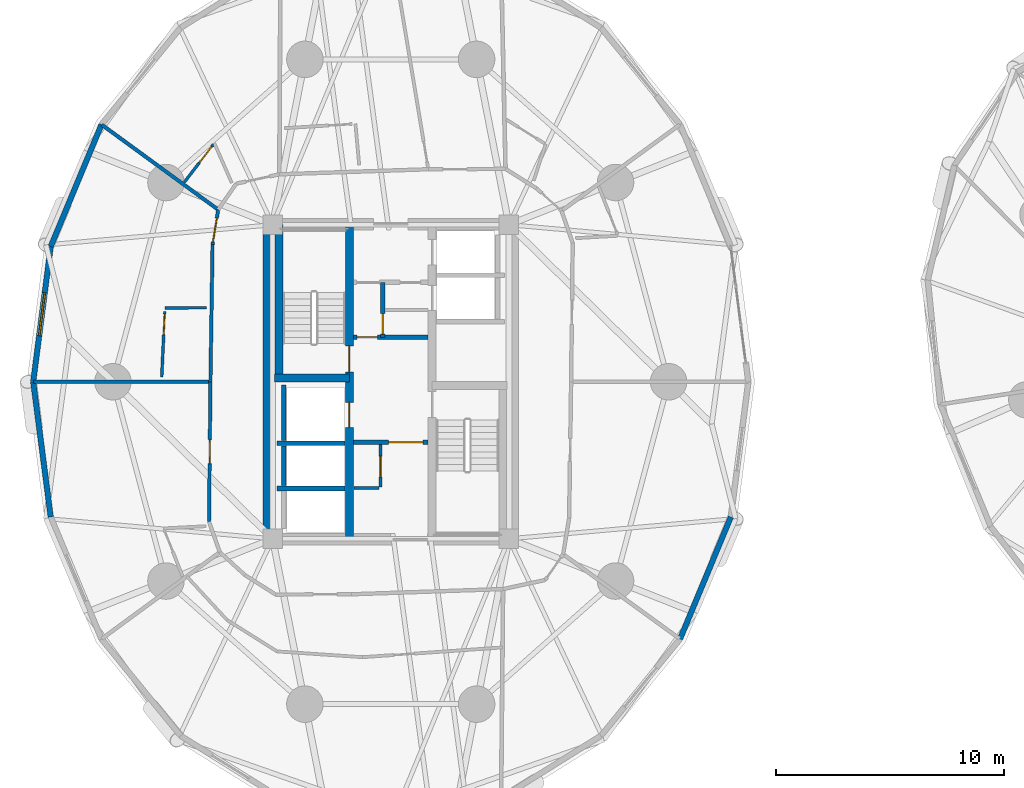
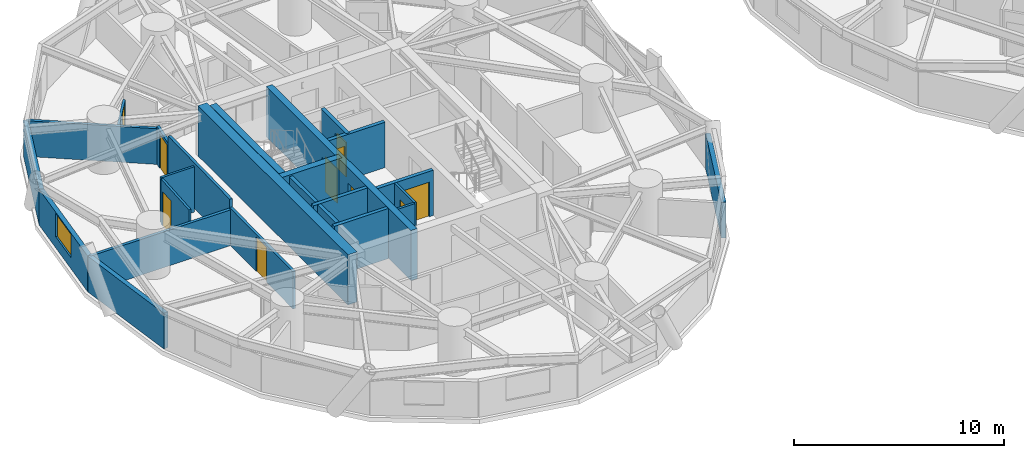
# One storey, part 10 of 18: 25 walls, 10 doors, 1 window, 11 openings.
"""IFC4 building model written with IfcOpenShell, lengths in metres."""

from ifc_helpers import new_model, si_unit, direction, frame, frame_2d, origin, place, context, subcontext, project, spatial, rectangle, extrude, source, transform, mapped, material, layer, layer_set, type_object, element, fill, save


model = new_model("IFC4")

# Units and contexts
model_context = context("Model", 3, precision=1e-05, world=origin(), true_north=direction((0.0, 1.0)))
body_context = subcontext(model_context, "Body", "Model", "MODEL_VIEW")
ifc_project = project(units=[si_unit("LENGTHUNIT", "METRE"), si_unit("AREAUNIT", "SQUARE_METRE"), si_unit("VOLUMEUNIT", "CUBIC_METRE"), si_unit("PLANEANGLEUNIT", "RADIAN"), si_unit("MASSUNIT", "GRAM", prefix="KILO")], contexts=[model_context])

# Site, building, storey
site_placement = place(None, origin())
site = spatial("IfcSite", under=ifc_project, at=site_placement, CompositionType="ELEMENT")
building_placement = place(site_placement, origin())
building = spatial("IfcBuilding", under=site, at=building_placement, Name="Cununo Teusaquillo Station Towers", CompositionType="ELEMENT")
storey_placement = place(building_placement, frame((0.0, 0.0, 54.010009765625)))
storey = spatial("IfcBuildingStorey", under=building, at=storey_placement, Name="L16", CompositionType="ELEMENT", Elevation=54.010009765625)

# Walls
ifc_material_1 = material(Name="Concrete C50/60", Category="concrete")
ifc_layer_1 = layer(ifc_material_1, 0.199951171875)
ifc_layer_set_1 = layer_set([ifc_layer_1], Name="Concrete C50/60")
wall_type_1 = type_object("IfcWallType", Name="WL-CORE-200", PredefinedType="SHEAR", material=ifc_layer_set_1)
wall_1_placement = place(storey_placement, frame((11.52001953125, 21.800048828125, 0.0), z_axis=(0.0, 0.0, 1.0), x_axis=(1.0, 0.0, 0.0)))
element("IfcWall", 1, at=wall_1_placement, inside=storey, type_object=wall_type_1, Name="L16 Tower A Firefighting Lift Shaft South Shear Wall", PredefinedType="SHEAR", context=body_context, shape_type="SweptSolid", body=[
    extrude(rectangle(XDim=2.969970703125, YDim=0.199951171875, at=frame_2d((1.48486328125, 0.0))), origin(), (0.0, 0.0, 1.0), 2.909912109375),
])
wall_2_placement = place(storey_placement, frame((11.820068359375, 21.919921875, 0.0), z_axis=(0.0, 0.0, 1.0), x_axis=(0.0, 1.0, 0.0)))
element("IfcWall", 2, at=wall_2_placement, inside=storey, type_object=wall_type_1, Name="L16 Tower A Firefighting Lift Shaft Rear Shear Wall", PredefinedType="SHEAR", context=body_context, shape_type="SweptSolid", body=[
    extrude(rectangle(XDim=2.440185546875, YDim=0.199951171875, at=frame_2d((1.22021484375, 0.0))), origin(), (0.0, 0.0, 1.0), 2.909912109375),
])
wall_3_placement = place(storey_placement, frame((11.52001953125, 19.824951171875, 0.0), z_axis=(0.0, 0.0, 1.0), x_axis=(1.0, 0.0, 0.0)))
element("IfcWall", 3, at=wall_3_placement, inside=storey, type_object=wall_type_1, Name="L16 Tower A High-Rise Lift Hoistway Divider Shear Wall", PredefinedType="SHEAR", context=body_context, shape_type="SweptSolid", body=[
    extrude(rectangle(XDim=2.969970703125, YDim=0.199951171875, at=frame_2d((1.48486328125, 0.0))), origin(), (0.0, 0.0, 1.0), 2.909912109375),
])
wall_4_placement = place(storey_placement, frame((11.820068359375, 19.945068359375, 0.0), z_axis=(0.0, 0.0, 1.0), x_axis=(0.0, 1.0, 0.0)))
element("IfcWall", 4, at=wall_4_placement, inside=storey, type_object=wall_type_1, Name="L16 Tower A High-Rise Lift 2 Shaft Rear Shear Wall", PredefinedType="SHEAR", context=body_context, shape_type="SweptSolid", body=[
    extrude(rectangle(XDim=1.73486328125, YDim=0.199951171875, at=frame_2d((0.867431640625, 0.0))), origin(), (0.0, 0.0, 1.0), 2.909912109375),
])

# Wall, openings, doors
ifc_material_2 = material(Name="Concrete C50/60", Category="concrete")
ifc_layer_2 = layer(ifc_material_2, 0.35009765625)
ifc_layer_set_2 = layer_set([ifc_layer_2], Name="Concrete C50/60")
wall_type_2 = type_object("IfcWallType", Name="WL-CORE-350", PredefinedType="SHEAR", material=ifc_layer_set_2)
wall_5_placement = place(storey_placement, frame((14.68505859375, 17.60009765625, 0.0), z_axis=(0.0, 0.0, 1.0), x_axis=(0.0, 1.0, 0.0)))
wall_5 = element("IfcWall", 5, at=wall_5_placement, inside=storey, type_object=wall_type_2, Name="L16 Tower A Core Shear Wall IW", PredefinedType="SHEAR", context=body_context, shape_type="SweptSolid", body=[
    extrude(rectangle(XDim=13.7998046875, YDim=0.35009765625, at=frame_2d((6.89990234375, 0.0))), origin(), (0.0, 0.0, 1.0), 2.909912109375),
])
shared_shape_1 = source(origin(), body_context, "Body", "SweptSolid", [
    extrude(rectangle(XDim=1.10009765625, YDim=2.014892578125, at=frame_2d((0.550048828125, 1.00732421875))), frame((0.0, 0.18505859375, 0.0), z_axis=(0.0, -1.0, 0.0), x_axis=(1.0, 0.0, 0.0)), (0.0, 0.0, 1.0), 0.3701171875),
])
opening_1_placement = place(wall_5_placement, frame((4.89990234375, 0.0, 0.0)))
opening_1 = element("IfcOpeningElement", 6, at=opening_1_placement, cuts=wall_5, Name="Opening LD-01", PredefinedType="OPENING", context=body_context, shape_type="MappedRepresentation", body=[
    mapped(shared_shape_1, transform((0.0, 0.0, 0.0), x_axis=(1.0, 0.0, 0.0), y_axis=(0.0, 1.0, 0.0), z_axis=(0.0, 0.0, 1.0), scale=1.0)),
])
shared_shape_2 = source(origin(), body_context, "Body", "SweptSolid", [
    extrude(rectangle(XDim=1.14990234375, YDim=2.02001953125, at=frame_2d((0.574951171875, 1.010009765625))), frame((0.0, 0.18505859375, 0.0), z_axis=(0.0, -1.0, 0.0), x_axis=(1.0, 0.0, 0.0)), (0.0, 0.0, 1.0), 0.3701171875),
])
opening_2_placement = place(wall_5_placement, frame((7.320068359375, 0.0, 0.0)))
opening_2 = element("IfcOpeningElement", 7, at=opening_2_placement, cuts=wall_5, Name="Opening D-ST1", PredefinedType="OPENING", context=body_context, shape_type="MappedRepresentation", body=[
    mapped(shared_shape_2, transform((0.0, 0.0, 0.0), x_axis=(1.0, 0.0, 0.0), y_axis=(0.0, 1.0, 0.0), z_axis=(0.0, 0.0, 1.0), scale=1.0)),
])
ifc_material_3 = material(Name="Galvanised fire-rated hollow steel door assembly", Category="steel")
door_type_1 = type_object("IfcDoorType", Name="DR-LIFT-1100", OperationType="SLIDING_TO_LEFT", PredefinedType="DOOR", material=ifc_material_3)
shared_shape_3 = source(origin(), body_context, "Body", "SweptSolid", [
    extrude(rectangle(XDim=1.10009765625, YDim=2.014892578125, at=frame_2d((0.550048828125, 1.00732421875))), frame((0.0, 0.02490234375, 0.0), z_axis=(0.0, -1.0, 0.0), x_axis=(1.0, 0.0, 0.0)), (0.0, 0.0, 1.0), 0.050048828125),
])
door_1_placement = place(opening_1_placement, origin())
door_1 = element("IfcDoor", 8, at=door_1_placement, inside=storey, type_object=door_type_1, Name="L16 Lift FL-T1 Sliding Landing Door", OperationType="SLIDING_TO_LEFT", OverallHeight=2.014892578125, OverallWidth=1.10009765625, PredefinedType="DOOR", context=body_context, shape_type="MappedRepresentation", body=[
    mapped(shared_shape_3, transform((0.0, 0.0, 0.0), x_axis=(1.0, 0.0, 0.0), y_axis=(0.0, 1.0, 0.0), z_axis=(0.0, 0.0, 1.0), scale=1.0)),
])
fill(opening_1, door_1)
ifc_material_4 = material(Name="Galvanised fire-rated hollow steel door assembly", Category="steel")
door_type_2 = type_object("IfcDoorType", Name="DR-STAIR-1150", OperationType="NOTDEFINED", PredefinedType="DOOR", material=ifc_material_4)
shared_shape_4 = source(origin(), body_context, "Body", "SweptSolid", [
    extrude(rectangle(XDim=1.14990234375, YDim=2.02001953125, at=frame_2d((0.574951171875, 1.010009765625))), frame((0.0, 0.02490234375, 0.0), z_axis=(0.0, -1.0, 0.0), x_axis=(1.0, 0.0, 0.0)), (0.0, 0.0, 1.0), 0.050048828125),
])
door_2_placement = place(opening_2_placement, origin())
door_2 = element("IfcDoor", 9, at=door_2_placement, inside=storey, type_object=door_type_2, Name="L16 Tower A Exit Stair 1 Fire Door", OperationType="SINGLE_SWING_LEFT", OverallHeight=2.02001953125, OverallWidth=1.14990234375, PredefinedType="DOOR", context=body_context, shape_type="MappedRepresentation", body=[
    mapped(shared_shape_4, transform((0.0, 0.0, 0.0), x_axis=(1.0, 0.0, 0.0), y_axis=(0.0, 1.0, 0.0), z_axis=(0.0, 0.0, 1.0), scale=1.0)),
])
fill(opening_2, door_2)

# Walls
wall_6_placement = place(storey_placement, frame((11.594970703125, 24.655029296875, 0.0), z_axis=(0.0, 0.0, 1.0), x_axis=(0.0, 1.0, 0.0)))
element("IfcWall", 10, at=wall_6_placement, inside=storey, type_object=wall_type_2, Name="L16 Tower A Core Shear Wall ST1W", PredefinedType="SHEAR", context=body_context, shape_type="SweptSolid", body=[
    extrude(rectangle(XDim=6.744873046875, YDim=0.35009765625, at=frame_2d((3.37255859375, 0.0))), origin(), (0.0, 0.0, 1.0), 2.909912109375),
])
wall_7_placement = place(storey_placement, frame((11.39990234375, 24.655029296875, 0.0), z_axis=(0.0, 0.0, 1.0), x_axis=(1.0, 0.0, 0.0)))
element("IfcWall", 11, at=wall_7_placement, inside=storey, type_object=wall_type_2, Name="L16 Tower A Core Shear Wall ST1S", PredefinedType="SHEAR", context=body_context, shape_type="SweptSolid", body=[
    extrude(rectangle(XDim=3.28515625, YDim=0.35009765625, at=frame_2d((1.642578125, 0.0))), origin(), (0.0, 0.0, 1.0), 2.909912109375),
])
ifc_material_5 = material(Name="Concrete C60/75", Category="concrete")
ifc_layer_3 = layer(ifc_material_5, 0.5)
ifc_layer_set_3 = layer_set([ifc_layer_3], Name="Concrete C60/75")
wall_type_3 = type_object("IfcWallType", Name="WL-CORE-500", PredefinedType="SHEAR", material=ifc_layer_set_3)
wall_8_placement = place(storey_placement, frame((11.14990234375, 17.35009765625, 0.0), z_axis=(0.0, 0.0, 1.0), x_axis=(0.0, 1.0, 0.0)))
element("IfcWall", 12, at=wall_8_placement, inside=storey, type_object=wall_type_3, Name="L16 Tower A Core Shear Wall W", PredefinedType="SHEAR", context=body_context, shape_type="SweptSolid", body=[
    extrude(rectangle(XDim=14.2998046875, YDim=0.5, at=frame_2d((7.14990234375, 0.0))), origin(), (0.0, 0.0, 1.0), 2.909912109375),
])
ifc_material_6 = material(Name="Precast concrete C40/50", Category="concrete")
ifc_layer_4 = layer(ifc_material_6, 0.239990234375)
ifc_layer_set_4 = layer_set([ifc_layer_4], Name="Precast concrete C40/50")
wall_type_4 = type_object("IfcWallType", Name="WL-EXT-240", PredefinedType="SOLIDWALL", material=ifc_layer_set_4)
wall_9_placement = place(storey_placement, frame((1.603515625, 30.423828125, 0.0), z_axis=(0.0, 0.0, 1.0), x_axis=(0.384348836956, 0.923187939442, 0.0)))
element("IfcWall", 13, at=wall_9_placement, inside=storey, type_object=wall_type_4, Name="L16 Tower A Exterior Facade Wall C08", PredefinedType="SOLIDWALL", context=body_context, shape_type="SweptSolid", body=[
    extrude(rectangle(XDim=5.78857421875, YDim=0.239990234375, at=frame_2d((2.894287109375, 0.0))), origin(), (0.0, 0.0, 1.0), 2.072998046875),
])

# Wall, opening, window
wall_10_placement = place(storey_placement, frame((0.8369140625, 24.5, 0.0), z_axis=(0.0, 0.0, 1.0), x_axis=(0.128339641463, 0.991730274031, 0.0)))
wall_10 = element("IfcWall", 14, at=wall_10_placement, inside=storey, type_object=wall_type_4, Name="L16 Tower A Exterior Facade Wall C09", PredefinedType="SOLIDWALL", context=body_context, shape_type="SweptSolid", body=[
    extrude(rectangle(XDim=5.97314453125, YDim=0.239990234375, at=frame_2d((2.986572265625, 0.0))), origin(), (0.0, 0.0, 1.0), 2.072998046875),
])
shared_shape_5 = source(origin(), body_context, "Body", "SweptSolid", [
    extrude(rectangle(XDim=1.89990234375, YDim=1.35009765625, at=frame_2d((0.949951171875, 0.675048828125))), frame((0.0, 0.1298828125, 0.0), z_axis=(0.0, -1.0, 0.0), x_axis=(1.0, 0.0, 0.0)), (0.0, 0.0, 1.0), 0.260009765625),
])
opening_3_placement = place(wall_10_placement, frame((2.037109375, 0.0, 0.64990234375)))
opening_3 = element("IfcOpeningElement", 15, at=opening_3_placement, cuts=wall_10, Name="Opening WN-02", PredefinedType="OPENING", context=body_context, shape_type="MappedRepresentation", body=[
    mapped(shared_shape_5, transform((0.0, 0.0, 0.0), x_axis=(1.0, 0.0, 0.0), y_axis=(0.0, 1.0, 0.0), z_axis=(0.0, 0.0, 1.0), scale=1.0)),
])
ifc_material_7 = material(Name="Operable acoustic tinted low-E double glazing", Category="glass")
window_type = type_object("IfcWindowType", Name="WIN-OPER-1900", PartitioningType="DOUBLE_PANEL_VERTICAL", PredefinedType="WINDOW", material=ifc_material_7)
shared_shape_6 = source(origin(), body_context, "Body", "SweptSolid", [
    extrude(rectangle(XDim=1.89990234375, YDim=1.35009765625, at=frame_2d((0.949951171875, 0.675048828125))), frame((0.0, 0.030029296875, 0.0), z_axis=(0.0, -1.0, 0.0), x_axis=(1.0, 0.0, 0.0)), (0.0, 0.0, 1.0), 0.06005859375),
])
window_placement = place(opening_3_placement, origin())
window = element("IfcWindow", 16, at=window_placement, inside=storey, type_object=window_type, Name="L16 Tower A Facade Window C09", OverallHeight=1.35009765625, OverallWidth=1.89990234375, PartitioningType="DOUBLE_PANEL_VERTICAL", PredefinedType="WINDOW", context=body_context, shape_type="MappedRepresentation", body=[
    mapped(shared_shape_6, transform((0.0, 0.0, 0.0), x_axis=(1.0, 0.0, 0.0), y_axis=(0.0, 1.0, 0.0), z_axis=(0.0, 0.0, 1.0), scale=1.0)),
])
fill(opening_3, window)

# Walls
wall_11_placement = place(storey_placement, frame((1.603515625, 18.576171875, 0.0), z_axis=(0.0, 0.0, 1.0), x_axis=(-0.128339641463, 0.991730274031, 0.0)))
element("IfcWall", 17, at=wall_11_placement, inside=storey, type_object=wall_type_4, Name="L16 Tower A Exterior Facade Wall C10", PredefinedType="SOLIDWALL", context=body_context, shape_type="SweptSolid", body=[
    extrude(rectangle(XDim=5.97314453125, YDim=0.239990234375, at=frame_2d((2.986572265625, 0.0))), origin(), (0.0, 0.0, 1.0), 2.072998046875),
])
wall_12_placement = place(storey_placement, frame((31.396484375, 18.576171875, 0.0), z_axis=(0.0, 0.0, 1.0), x_axis=(-0.384348836956, -0.923187939442, 0.0)))
element("IfcWall", 18, at=wall_12_placement, inside=storey, type_object=wall_type_4, Name="L16 Tower A Exterior Facade Wall C18", PredefinedType="SOLIDWALL", context=body_context, shape_type="SweptSolid", body=[
    extrude(rectangle(XDim=5.78857421875, YDim=0.239990234375, at=frame_2d((2.894287109375, 0.0))), origin(), (0.0, 0.0, 1.0), 2.072998046875),
])

# Wall, opening, door
ifc_material_8 = material(Name="Fire-rated gypsum plasterboard partition assembly", Category="gypsum")
ifc_layer_5 = layer(ifc_material_8, 0.125)
ifc_layer_set_5 = layer_set([ifc_layer_5], Name="Fire-rated gypsum plasterboard partition assembly")
wall_type_5 = type_object("IfcWallType", Name="WL-PART-125", PredefinedType="PARTITIONING", material=ifc_layer_set_5)
wall_13_placement = place(storey_placement, frame((16.050048828125, 19.8798828125, 0.0), z_axis=(0.0, 0.0, 1.0), x_axis=(0.0, 1.0, 0.0)))
wall_13 = element("IfcWall", 19, at=wall_13_placement, inside=storey, type_object=wall_type_5, Name="L16 Tower A North-West Lobby Store East Wall", PredefinedType="PARTITIONING", context=body_context, shape_type="SweptSolid", body=[
    extrude(rectangle(XDim=1.8701171875, YDim=0.125, at=frame_2d((0.93505859375, 0.0))), origin(), (0.0, 0.0, 1.0), 2.635009765625),
])
shared_shape_7 = source(origin(), body_context, "Body", "SweptSolid", [
    extrude(rectangle(XDim=0.89990234375, YDim=2.0048828125, at=frame_2d((0.449951171875, 1.00244140625))), frame((0.0, 0.072509765625, 0.0), z_axis=(0.0, -1.0, 0.0), x_axis=(1.0, 0.0, 0.0)), (0.0, 0.0, 1.0), 0.14501953125),
])
opening_4_placement = place(wall_13_placement, frame((0.449951171875, 0.0, 0.0)))
opening_4 = element("IfcOpeningElement", 20, at=opening_4_placement, cuts=wall_13, Name="Opening D-SR1", PredefinedType="OPENING", context=body_context, shape_type="MappedRepresentation", body=[
    mapped(shared_shape_7, transform((0.0, 0.0, 0.0), x_axis=(1.0, 0.0, 0.0), y_axis=(0.0, 1.0, 0.0), z_axis=(0.0, 0.0, 1.0), scale=1.0)),
])
ifc_material_9 = material(Name="Galvanised fire-rated hollow steel door assembly", Category="steel")
door_type_3 = type_object("IfcDoorType", Name="DR-STORE-900", OperationType="NOTDEFINED", PredefinedType="DOOR", material=ifc_material_9)
shared_shape_8 = source(origin(), body_context, "Body", "SweptSolid", [
    extrude(rectangle(XDim=0.89990234375, YDim=2.0048828125, at=frame_2d((0.449951171875, 1.00244140625))), frame((0.0, 0.02490234375, 0.0), z_axis=(0.0, -1.0, 0.0), x_axis=(1.0, 0.0, 0.0)), (0.0, 0.0, 1.0), 0.050048828125),
])
door_3_placement = place(opening_4_placement, origin())
door_3 = element("IfcDoor", 21, at=door_3_placement, inside=storey, type_object=door_type_3, Name="L16 Tower A South Lobby Data Store Door", OperationType="SINGLE_SWING_LEFT", OverallHeight=2.0048828125, OverallWidth=0.89990234375, PredefinedType="DOOR", context=body_context, shape_type="MappedRepresentation", body=[
    mapped(shared_shape_8, transform((0.0, 0.0, 0.0), x_axis=(1.0, 0.0, 0.0), y_axis=(0.0, 1.0, 0.0), z_axis=(0.0, 0.0, 1.0), scale=1.0)),
])
fill(opening_4, door_3)

# Wall
wall_14_placement = place(storey_placement, frame((14.8798828125, 19.85009765625, 0.0), z_axis=(0.0, 0.0, 1.0), x_axis=(1.0, 0.0, 0.0)))
element("IfcWall", 22, at=wall_14_placement, inside=storey, type_object=wall_type_5, Name="L16 Tower A North-West Lobby Store South Wall", PredefinedType="PARTITIONING", context=body_context, shape_type="SweptSolid", body=[
    extrude(rectangle(XDim=1.10009765625, YDim=0.125, at=frame_2d((0.550048828125, 0.0))), origin(), (0.0, 0.0, 1.0), 2.635009765625),
])

# Wall, opening, door
wall_15_placement = place(storey_placement, frame((8.731689453125, 34.8994140625, 0.0), z_axis=(0.0, 0.0, 1.0), x_axis=(-0.609677010074, -0.792649950096, 0.0)))
wall_15 = element("IfcWall", 23, at=wall_15_placement, inside=storey, type_object=wall_type_5, Name="L16 Tower A S04 En-suite Back Wall", PredefinedType="PARTITIONING", context=body_context, shape_type="SweptSolid", body=[
    extrude(rectangle(XDim=2.097412109375, YDim=0.125, at=frame_2d((1.048828125, 0.0))), origin(), (0.0, 0.0, 1.0), 2.072998046875),
])
opening_5_placement = place(wall_15_placement, frame((0.1201171875, 0.0, 0.0)))
opening_5 = element("IfcOpeningElement", 24, at=opening_5_placement, cuts=wall_15, Name="Opening D-IN1", PredefinedType="OPENING", context=body_context, shape_type="MappedRepresentation", body=[
    mapped(shared_shape_7, transform((0.0, 0.0, 0.0), x_axis=(1.0, 0.0, 0.0), y_axis=(0.0, 1.0, 0.0), z_axis=(0.0, 0.0, 1.0), scale=1.0)),
])
ifc_material_10 = material(Name="Acoustic solid-core hardwood leaf assembly", Category="wood")
door_type_4 = type_object("IfcDoorType", Name="DR-INT-900", OperationType="NOTDEFINED", PredefinedType="DOOR", material=ifc_material_10)
door_4_placement = place(opening_5_placement, origin())
door_4 = element("IfcDoor", 25, at=door_4_placement, inside=storey, type_object=door_type_4, Name="L16 Tower A S04 En-suite Bathroom Door", OperationType="SINGLE_SWING_RIGHT", OverallHeight=2.0048828125, OverallWidth=0.89990234375, PredefinedType="DOOR", context=body_context, shape_type="MappedRepresentation", body=[
    mapped(shared_shape_8, transform((0.0, 0.0, 0.0), x_axis=(1.0, 0.0, 0.0), y_axis=(0.0, 1.0, 0.0), z_axis=(0.0, 0.0, 1.0), scale=1.0)),
])
fill(opening_5, door_4)

# Wall
wall_16_placement = place(storey_placement, frame((8.4287109375, 27.74462890625, 0.0), z_axis=(0.0, 0.0, 1.0), x_axis=(-0.999976632219, -0.006836301373, 0.0)))
element("IfcWall", 26, at=wall_16_placement, inside=storey, type_object=wall_type_5, Name="L16 Tower A S05 En-suite Side Wall", PredefinedType="PARTITIONING", context=body_context, shape_type="SweptSolid", body=[
    extrude(rectangle(XDim=1.8212890625, YDim=0.125, at=frame_2d((0.91064453125, 0.0))), origin(), (0.0, 0.0, 1.0), 2.635009765625),
])

# Wall, opening, door
wall_17_placement = place(storey_placement, frame((6.600341796875, 27.58251953125, 0.0), z_axis=(0.0, 0.0, 1.0), x_axis=(-0.046516553412, -0.998917519247, 0.0)))
wall_17 = element("IfcWall", 27, at=wall_17_placement, inside=storey, type_object=wall_type_5, Name="L16 Tower A S05 En-suite Back Wall", PredefinedType="PARTITIONING", context=body_context, shape_type="SweptSolid", body=[
    extrude(rectangle(XDim=2.876220703125, YDim=0.125, at=frame_2d((1.43798828125, 0.0))), origin(), (0.0, 0.0, 1.0), 2.635009765625),
])
opening_6_placement = place(wall_17_placement, frame((0.1201171875, 0.0, 0.0)))
opening_6 = element("IfcOpeningElement", 28, at=opening_6_placement, cuts=wall_17, Name="Opening D-IN1", PredefinedType="OPENING", context=body_context, shape_type="MappedRepresentation", body=[
    mapped(shared_shape_7, transform((0.0, 0.0, 0.0), x_axis=(1.0, 0.0, 0.0), y_axis=(0.0, 1.0, 0.0), z_axis=(0.0, 0.0, 1.0), scale=1.0)),
])
door_5_placement = place(opening_6_placement, origin())
door_5 = element("IfcDoor", 29, at=door_5_placement, inside=storey, type_object=door_type_4, Name="L16 Tower A S05 En-suite Bathroom Door", OperationType="SINGLE_SWING_RIGHT", OverallHeight=2.0048828125, OverallWidth=0.89990234375, PredefinedType="DOOR", context=body_context, shape_type="MappedRepresentation", body=[
    mapped(shared_shape_8, transform((0.0, 0.0, 0.0), x_axis=(1.0, 0.0, 0.0), y_axis=(0.0, 1.0, 0.0), z_axis=(0.0, 0.0, 1.0), scale=1.0)),
])
fill(opening_6, door_5)

ifc_material_11 = material(Name="Fire-rated gypsum plasterboard partition assembly", Category="gypsum")
ifc_layer_6 = layer(ifc_material_11, 0.14990234375)
ifc_layer_set_6 = layer_set([ifc_layer_6], Name="Fire-rated gypsum plasterboard partition assembly")
wall_type_6 = type_object("IfcWallType", Name="WL-PART-150", PredefinedType="PARTITIONING", material=ifc_layer_set_6)
wall_18_placement = place(storey_placement, frame((8.93994140625, 32.038330078125, 0.0), z_axis=(0.0, 0.0, 1.0), x_axis=(-0.159917336462, -0.987130409571, 0.0)))
wall_18 = element("IfcWall", 30, at=wall_18_placement, inside=storey, type_object=wall_type_6, Name="L16 Tower A Corridor Ring Wall C08", PredefinedType="PARTITIONING", context=body_context, shape_type="SweptSolid", body=[
    extrude(rectangle(XDim=1.546630859375, YDim=0.14990234375, at=frame_2d((0.7734375, 0.0))), origin(), (0.0, 0.0, 1.0), 2.205078125),
])
shared_shape_9 = source(origin(), body_context, "Body", "SweptSolid", [
    extrude(rectangle(XDim=1.050048828125, YDim=2.014892578125, at=frame_2d((0.52490234375, 1.00732421875))), frame((0.0, 0.0849609375, 0.0), z_axis=(0.0, -1.0, 0.0), x_axis=(1.0, 0.0, 0.0)), (0.0, 0.0, 1.0), 0.169921875),
])
opening_7_placement = place(wall_18_placement, frame((0.376708984375, 0.0, 0.0)))
opening_7 = element("IfcOpeningElement", 31, at=opening_7_placement, cuts=wall_18, Name="Opening D-SU1", PredefinedType="OPENING", context=body_context, shape_type="MappedRepresentation", body=[
    mapped(shared_shape_9, transform((0.0, 0.0, 0.0), x_axis=(1.0, 0.0, 0.0), y_axis=(0.0, 1.0, 0.0), z_axis=(0.0, 0.0, 1.0), scale=1.0)),
])
ifc_material_12 = material(Name="Acoustic solid-core hardwood leaf assembly", Category="wood")
door_type_5 = type_object("IfcDoorType", Name="DR-SUITE-1050", OperationType="NOTDEFINED", PredefinedType="DOOR", material=ifc_material_12)
shared_shape_10 = source(origin(), body_context, "Body", "SweptSolid", [
    extrude(rectangle(XDim=1.050048828125, YDim=2.014892578125, at=frame_2d((0.52490234375, 1.00732421875))), frame((0.0, 0.02490234375, 0.0), z_axis=(0.0, -1.0, 0.0), x_axis=(1.0, 0.0, 0.0)), (0.0, 0.0, 1.0), 0.050048828125),
])
door_6_placement = place(opening_7_placement, origin())
door_6 = element("IfcDoor", 32, at=door_6_placement, inside=storey, type_object=door_type_5, Name="L16 Tower A Consular Hospitality Suite Entrance Door", OperationType="SINGLE_SWING_LEFT", OverallHeight=2.014892578125, OverallWidth=1.050048828125, PredefinedType="DOOR", context=body_context, shape_type="MappedRepresentation", body=[
    mapped(shared_shape_10, transform((0.0, 0.0, 0.0), x_axis=(1.0, 0.0, 0.0), y_axis=(0.0, 1.0, 0.0), z_axis=(0.0, 0.0, 1.0), scale=1.0)),
])
fill(opening_7, door_6)

# Wall
wall_19_placement = place(storey_placement, frame((8.692626953125, 30.51171875, 0.0), z_axis=(0.0, 0.0, 1.0), x_axis=(-0.015389665197, -0.99988157209, 0.0)))
element("IfcWall", 33, at=wall_19_placement, inside=storey, type_object=wall_type_6, Name="L16 Tower A Corridor Ring Wall C09", PredefinedType="PARTITIONING", context=body_context, shape_type="SweptSolid", body=[
    extrude(rectangle(XDim=6.012451171875, YDim=0.14990234375, at=frame_2d((3.00634765625, 0.0))), origin(), (0.0, 0.0, 1.0), 2.635009765625),
])

# Wall, opening, door
wall_20_placement = place(storey_placement, frame((8.60009765625, 24.5, 0.0), z_axis=(0.0, 0.0, 1.0), x_axis=(-0.010076760723, -0.999949228158, 0.0)))
wall_20 = element("IfcWall", 34, at=wall_20_placement, inside=storey, type_object=wall_type_6, Name="L16 Tower A Corridor Ring Wall C10", PredefinedType="PARTITIONING", context=body_context, shape_type="SweptSolid", body=[
    extrude(rectangle(XDim=6.129638671875, YDim=0.14990234375, at=frame_2d((3.06494140625, 0.0))), origin(), (0.0, 0.0, 1.0), 2.158935546875),
])
opening_8_placement = place(wall_20_placement, frame((2.539794921875, 0.0, 0.0)))
opening_8 = element("IfcOpeningElement", 35, at=opening_8_placement, cuts=wall_20, Name="Opening D-SU1", PredefinedType="OPENING", context=body_context, shape_type="MappedRepresentation", body=[
    mapped(shared_shape_9, transform((0.0, 0.0, 0.0), x_axis=(1.0, 0.0, 0.0), y_axis=(0.0, 1.0, 0.0), z_axis=(0.0, 0.0, 1.0), scale=1.0)),
])
door_7_placement = place(opening_8_placement, origin())
door_7 = element("IfcDoor", 36, at=door_7_placement, inside=storey, type_object=door_type_5, Name="L16 Tower A Regent Corner Hotel Suite Entrance Door", OperationType="SINGLE_SWING_LEFT", OverallHeight=2.014892578125, OverallWidth=1.050048828125, PredefinedType="DOOR", context=body_context, shape_type="MappedRepresentation", body=[
    mapped(shared_shape_10, transform((0.0, 0.0, 0.0), x_axis=(1.0, 0.0, 0.0), y_axis=(0.0, 1.0, 0.0), z_axis=(0.0, 0.0, 1.0), scale=1.0)),
])
fill(opening_8, door_7)

# Walls
ifc_material_13 = material(Name="Fire-rated gypsum plasterboard partition assembly", Category="gypsum")
ifc_layer_7 = layer(ifc_material_13, 0.159912109375)
ifc_layer_set_7 = layer_set([ifc_layer_7], Name="Fire-rated gypsum plasterboard partition assembly")
wall_type_7 = type_object("IfcWallType", Name="WL-PART-160", PredefinedType="PARTITIONING", material=ifc_layer_set_7)
wall_21_placement = place(storey_placement, frame((8.93994140625, 32.038330078125, 0.0), z_axis=(0.0, 0.0, 1.0), x_axis=(-0.807831293846, 0.58941377714, 0.0)))
element("IfcWall", 37, at=wall_21_placement, inside=storey, type_object=wall_type_7, Name="L16 Tower A Radial Suite Partition R05", PredefinedType="PARTITIONING", context=body_context, shape_type="SweptSolid", body=[
    extrude(rectangle(XDim=6.3076171875, YDim=0.159912109375, at=frame_2d((3.15380859375, 0.0))), origin(), (0.0, 0.0, 1.0), 2.072998046875),
])
wall_22_placement = place(storey_placement, frame((8.60009765625, 24.5, 0.0), z_axis=(0.0, 0.0, 1.0), x_axis=(-1.0, 0.0, 0.0)))
element("IfcWall", 38, at=wall_22_placement, inside=storey, type_object=wall_type_7, Name="L16 Tower A Radial Suite Partition R06", PredefinedType="PARTITIONING", context=body_context, shape_type="SweptSolid", body=[
    extrude(rectangle(XDim=7.7431640625, YDim=0.159912109375, at=frame_2d((3.87158203125, 0.0))), origin(), (0.0, 0.0, 1.0), 2.072998046875),
])

# Wall, opening, door
ifc_material_14 = material(Name="Fire-rated gypsum plasterboard partition assembly", Category="gypsum")
ifc_layer_8 = layer(ifc_material_14, 0.199951171875)
ifc_layer_set_8 = layer_set([ifc_layer_8], Name="Fire-rated gypsum plasterboard partition assembly")
wall_type_8 = type_object("IfcWallType", Name="WL-PART-200", PredefinedType="PARTITIONING", material=ifc_layer_set_8)
wall_23_placement = place(storey_placement, frame((14.860107421875, 21.85009765625, 0.0), z_axis=(0.0, 0.0, 1.0), x_axis=(1.0, 0.0, 0.0)))
wall_23 = element("IfcWall", 39, at=wall_23_placement, inside=storey, type_object=wall_type_8, Name="L16 Tower A Firefighting Lift Lobby South Fire Wall", PredefinedType="PARTITIONING", context=body_context, shape_type="SweptSolid", body=[
    extrude(rectangle(XDim=3.27978515625, YDim=0.199951171875, at=frame_2d((1.639892578125, 0.0))), origin(), (0.0, 0.0, 1.0), 2.635009765625),
])
shared_shape_11 = source(origin(), body_context, "Body", "SweptSolid", [
    extrude(rectangle(XDim=1.5, YDim=2.02001953125, at=frame_2d((0.75, 1.010009765625))), frame((0.0, 0.10986328125, 0.0), z_axis=(0.0, -1.0, 0.0), x_axis=(1.0, 0.0, 0.0)), (0.0, 0.0, 1.0), 0.219970703125),
])
opening_9_placement = place(wall_23_placement, frame((1.550048828125, 0.0, 0.0)))
opening_9 = element("IfcOpeningElement", 40, at=opening_9_placement, cuts=wall_23, Name="Opening D-LB1", PredefinedType="OPENING", context=body_context, shape_type="MappedRepresentation", body=[
    mapped(shared_shape_11, transform((0.0, 0.0, 0.0), x_axis=(1.0, 0.0, 0.0), y_axis=(0.0, 1.0, 0.0), z_axis=(0.0, 0.0, 1.0), scale=1.0)),
])
ifc_material_15 = material(Name="Galvanised fire-rated hollow steel door assembly", Category="steel")
door_type_6 = type_object("IfcDoorType", Name="DR-LOBBY-1500", OperationType="DOUBLE_DOOR_SINGLE_SWING", PredefinedType="DOOR", material=ifc_material_15)
shared_shape_12 = source(origin(), body_context, "Body", "SweptSolid", [
    extrude(rectangle(XDim=1.5, YDim=2.02001953125, at=frame_2d((0.75, 1.010009765625))), frame((0.0, 0.02490234375, 0.0), z_axis=(0.0, -1.0, 0.0), x_axis=(1.0, 0.0, 0.0)), (0.0, 0.0, 1.0), 0.050048828125),
])
door_8_placement = place(opening_9_placement, origin())
door_8 = element("IfcDoor", 41, at=door_8_placement, inside=storey, type_object=door_type_6, Name="L16 Tower A Firefighting Lift Lobby South Fire Door", OperationType="DOUBLE_DOOR_SINGLE_SWING", OverallHeight=2.02001953125, OverallWidth=1.5, PredefinedType="DOOR", context=body_context, shape_type="MappedRepresentation", body=[
    mapped(shared_shape_12, transform((0.0, 0.0, 0.0), x_axis=(1.0, 0.0, 0.0), y_axis=(0.0, 1.0, 0.0), z_axis=(0.0, 0.0, 1.0), scale=1.0)),
])
fill(opening_9, door_8)

wall_24_placement = place(storey_placement, frame((14.860107421875, 26.449951171875, 0.0), z_axis=(0.0, 0.0, 1.0), x_axis=(1.0, 0.0, 0.0)))
wall_24 = element("IfcWall", 42, at=wall_24_placement, inside=storey, type_object=wall_type_8, Name="L16 Tower A Firefighting Lift Lobby North Fire Wall", PredefinedType="PARTITIONING", context=body_context, shape_type="SweptSolid", body=[
    extrude(rectangle(XDim=3.27978515625, YDim=0.199951171875, at=frame_2d((1.639892578125, 0.0))), origin(), (0.0, 0.0, 1.0), 2.635009765625),
])
shared_shape_13 = source(origin(), body_context, "Body", "SweptSolid", [
    extrude(rectangle(XDim=0.89990234375, YDim=2.0048828125, at=frame_2d((0.449951171875, 1.00244140625))), frame((0.0, 0.10986328125, 0.0), z_axis=(0.0, -1.0, 0.0), x_axis=(1.0, 0.0, 0.0)), (0.0, 0.0, 1.0), 0.219970703125),
])
opening_10_placement = place(wall_24_placement, frame((0.159912109375, 0.0, 0.0)))
opening_10 = element("IfcOpeningElement", 43, at=opening_10_placement, cuts=wall_24, Name="Opening D-SR1", PredefinedType="OPENING", context=body_context, shape_type="MappedRepresentation", body=[
    mapped(shared_shape_13, transform((0.0, 0.0, 0.0), x_axis=(1.0, 0.0, 0.0), y_axis=(0.0, 1.0, 0.0), z_axis=(0.0, 0.0, 1.0), scale=1.0)),
])
door_9_placement = place(opening_10_placement, origin())
door_9 = element("IfcDoor", 44, at=door_9_placement, inside=storey, type_object=door_type_3, Name="L16 Tower A Stair 1 Protected Vestibule South Door", OperationType="SINGLE_SWING_LEFT", OverallHeight=2.0048828125, OverallWidth=0.89990234375, PredefinedType="DOOR", context=body_context, shape_type="MappedRepresentation", body=[
    mapped(shared_shape_8, transform((0.0, 0.0, 0.0), x_axis=(1.0, 0.0, 0.0), y_axis=(0.0, 1.0, 0.0), z_axis=(0.0, 0.0, 1.0), scale=1.0)),
])
fill(opening_10, door_9)

wall_25_placement = place(storey_placement, frame((16.14990234375, 26.449951171875, 0.0), z_axis=(0.0, 0.0, 1.0), x_axis=(0.0, 1.0, 0.0)))
wall_25 = element("IfcWall", 45, at=wall_25_placement, inside=storey, type_object=wall_type_8, Name="L16 Tower A Stair 1 Vestibule Partition Wall", PredefinedType="PARTITIONING", context=body_context, shape_type="SweptSolid", body=[
    extrude(rectangle(XDim=2.400146484375, YDim=0.199951171875, at=frame_2d((1.2001953125, 0.0))), origin(), (0.0, 0.0, 1.0), 2.635009765625),
])
opening_11_placement = place(wall_25_placement, frame((0.139892578125, 0.0, 0.0)))
opening_11 = element("IfcOpeningElement", 46, at=opening_11_placement, cuts=wall_25, Name="Opening D-SR1", PredefinedType="OPENING", context=body_context, shape_type="MappedRepresentation", body=[
    mapped(shared_shape_13, transform((0.0, 0.0, 0.0), x_axis=(1.0, 0.0, 0.0), y_axis=(0.0, 1.0, 0.0), z_axis=(0.0, 0.0, 1.0), scale=1.0)),
])
door_10_placement = place(opening_11_placement, origin())
door_10 = element("IfcDoor", 47, at=door_10_placement, inside=storey, type_object=door_type_3, Name="L16 Tower A Core Linen Store Door", OperationType="SINGLE_SWING_RIGHT", OverallHeight=2.0048828125, OverallWidth=0.89990234375, PredefinedType="DOOR", context=body_context, shape_type="MappedRepresentation", body=[
    mapped(shared_shape_8, transform((0.0, 0.0, 0.0), x_axis=(1.0, 0.0, 0.0), y_axis=(0.0, 1.0, 0.0), z_axis=(0.0, 0.0, 1.0), scale=1.0)),
])
fill(opening_11, door_10)

save(model, "model.ifc")
